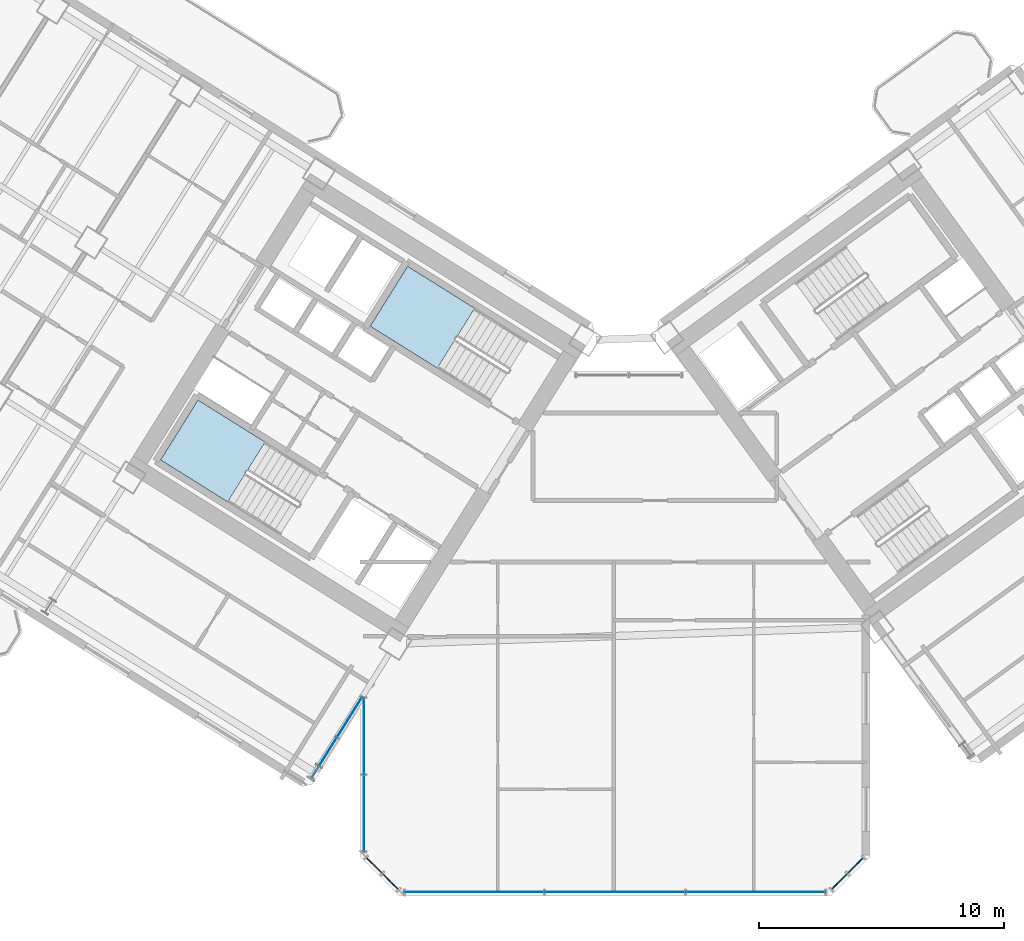
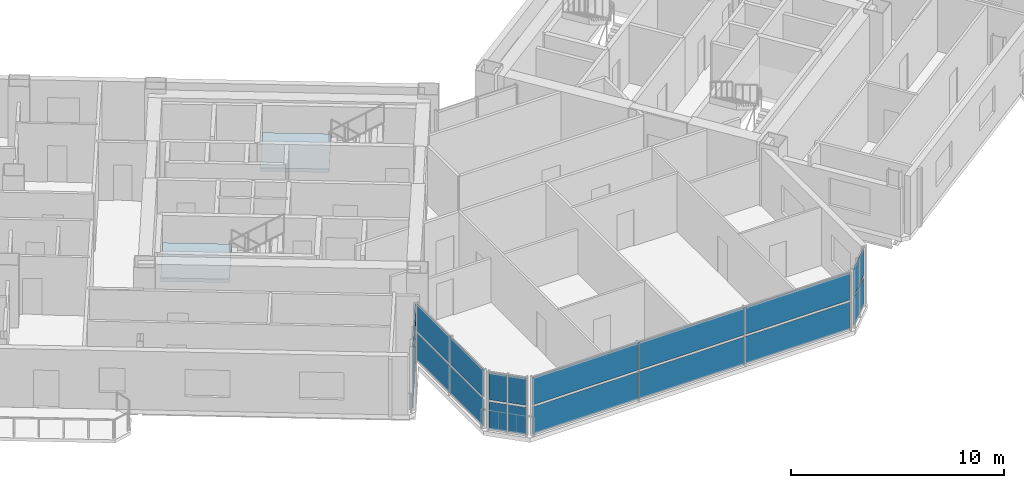
# One storey, part 13 of 24: 22 plates, 2 slabs, 7 elements without a shape of their own.
"""IFC4 building model written with IfcOpenShell, lengths in metres."""

from ifc_helpers import new_model, si_unit, direction, frame, origin, origin_2d, place, context, subcontext, project, spatial, polyline, rectangle, outline, extrude, source, transform, mapped, material, layer, layer_set, type_object, element, aggregate, save


model = new_model("IFC4")

# Units and contexts
model_context = context("Model", 3, precision=1e-05, world=origin(), true_north=direction((0.0, 1.0)))
body_context = subcontext(model_context, "Body", "Model", "MODEL_VIEW")
ifc_project = project(units=[si_unit("LENGTHUNIT", "METRE"), si_unit("AREAUNIT", "SQUARE_METRE"), si_unit("VOLUMEUNIT", "CUBIC_METRE"), si_unit("PLANEANGLEUNIT", "RADIAN"), si_unit("MASSUNIT", "GRAM", prefix="KILO")], contexts=[model_context])

# Site, building, storey
site_placement = place(None, origin())
site = spatial("IfcSite", under=ifc_project, at=site_placement, CompositionType="ELEMENT")
building_placement = place(site_placement, origin())
building = spatial("IfcBuilding", under=site, at=building_placement, Name="Tlacorven Tower", CompositionType="ELEMENT")
storey_placement = place(building_placement, frame((0.0, 0.0, 45.60009765625)))
storey = spatial("IfcBuildingStorey", under=building, at=storey_placement, Name="L11", CompositionType="ELEMENT", Elevation=45.60009765625)

# Stair, slab
ifc_material_1 = material(Name="Concrete C40/50", Category="concrete")
stair_type = type_object("IfcStairType", Name="ST-CORE-DLG", PredefinedType="HALF_TURN_STAIR", material=ifc_material_1)
stair_1_placement = place(storey_placement, origin())
stair_1 = element("IfcStair", 1, at=stair_1_placement, inside=storey, type_object=stair_type, Name="L11 Protected Exit Stair West 1", PredefinedType="HALF_TURN_STAIR")
ifc_layer_1 = layer(ifc_material_1, 0.199951171875)
ifc_layer_set_1 = layer_set([ifc_layer_1], Name="Concrete C40/50")
slab_type = type_object("IfcSlabType", Name="SL-LND-200", PredefinedType="LANDING", material=ifc_layer_set_1)
slab_1_placement = place(storey_placement, frame((0.0, 0.0, 1.599853515625)))
slab_1 = element("IfcSlab", 2, at=slab_1_placement, type_object=slab_type, Name="ST-W1 landing 1", PredefinedType="LANDING", context=body_context, shape_type="SweptSolid", body=[
    extrude(outline(polyline([(27.728515625, 20.315185546875), (24.9892578125, 22.02685546875), (23.463134765625, 19.58447265625), (26.2021484375, 17.872802734375), (27.728515625, 20.315185546875)])), origin(), (0.0, 0.0, 1.0), 0.199951171875),
])
aggregate(stair_1, [slab_1])

stair_2_placement = place(storey_placement, origin())
stair_2 = element("IfcStair", 3, at=stair_2_placement, inside=storey, type_object=stair_type, Name="L11 Protected Exit Stair West 2", PredefinedType="HALF_TURN_STAIR")
slab_2_placement = place(storey_placement, frame((0.0, 0.0, 1.599853515625)))
slab_2 = element("IfcSlab", 4, at=slab_2_placement, type_object=slab_type, Name="ST-W2 landing 1", PredefinedType="LANDING", context=body_context, shape_type="SweptSolid", body=[
    extrude(outline(polyline([(36.280029296875, 25.772705078125), (33.540771484375, 27.484375), (32.0146484375, 25.0419921875), (34.75390625, 23.33056640625), (36.280029296875, 25.772705078125)])), origin(), (0.0, 0.0, 1.0), 0.199951171875),
])
aggregate(stair_2, [slab_2])

# Curtain wall, plates
ifc_material_2 = material(Name="Dark solar low-E double glazing in aluminium frame", Category="aluminium")
curtain_wall_type = type_object("IfcCurtainWallType", Name="CW-TWR-LOW", PredefinedType="USERDEFINED", material=ifc_material_2)
curtain_wall_1_placement = place(storey_placement, origin())
curtain_wall_1 = element("IfcCurtainWall", 5, at=curtain_wall_1_placement, inside=storey, type_object=curtain_wall_type, Name="L11 CW-TWR-LOW Curtain Wall 57", ObjectType="UNITISED CURTAIN WALL", PredefinedType="USERDEFINED")
ifc_material_3 = material(Name="Dark solar double low-E glazing", Category="glass")
ifc_layer_2 = layer(ifc_material_3, 0.031982421875)
ifc_layer_set_2 = layer_set([ifc_layer_2], Name="Dark solar double low-E glazing")
plate_type = type_object("IfcPlateType", Name="CWP-02", PredefinedType="CURTAIN_PANEL", material=ifc_layer_set_2)
shared_shape_1 = source(origin(), body_context, "Body", "SweptSolid", [
    extrude(rectangle(XDim=0.878173828125, YDim=0.031982421875, at=origin_2d()), origin(), (0.0, 0.0, 1.0), 1.552978515625),
])
plate_1_placement = place(storey_placement, frame((51.815673828125, 3.0419921875, 0.06103515625), z_axis=(0.0, 0.0, 1.0), x_axis=(-0.707106781187, -0.707106781187, 0.0)))
plate_1 = element("IfcPlate", 6, at=plate_1_placement, type_object=plate_type, Name="CW-L11-057 Glazing Panel 1", PredefinedType="CURTAIN_PANEL", context=body_context, shape_type="MappedRepresentation", body=[
    mapped(shared_shape_1, transform((0.0, 0.0, 0.0), scale=1.0)),
])
plate_2_placement = place(storey_placement, frame((51.815673828125, 3.0419921875, 1.73583984375), z_axis=(0.0, 0.0, 1.0), x_axis=(-0.707106781187, -0.707106781187, 0.0)))
plate_2 = element("IfcPlate", 7, at=plate_2_placement, type_object=plate_type, Name="CW-L11-057 Glazing Panel 2", PredefinedType="CURTAIN_PANEL", context=body_context, shape_type="MappedRepresentation", body=[
    mapped(shared_shape_1, transform((0.0, 0.0, 0.0), scale=1.0)),
])
plate_3_placement = place(storey_placement, frame((51.157958984375, 2.38427734375, 0.06103515625), z_axis=(0.0, 0.0, 1.0), x_axis=(-0.707106781187, -0.707106781187, 0.0)))
plate_3 = element("IfcPlate", 8, at=plate_3_placement, type_object=plate_type, Name="CW-L11-057 Glazing Panel 3", PredefinedType="CURTAIN_PANEL", context=body_context, shape_type="MappedRepresentation", body=[
    mapped(shared_shape_1, transform((0.0, 0.0, 0.0), scale=1.0)),
])
plate_4_placement = place(storey_placement, frame((51.157958984375, 2.38427734375, 1.73583984375), z_axis=(0.0, 0.0, 1.0), x_axis=(-0.707106781187, -0.707106781187, 0.0)))
plate_4 = element("IfcPlate", 9, at=plate_4_placement, type_object=plate_type, Name="CW-L11-057 Glazing Panel 4", PredefinedType="CURTAIN_PANEL", context=body_context, shape_type="MappedRepresentation", body=[
    mapped(shared_shape_1, transform((0.0, 0.0, 0.0), scale=1.0)),
])
aggregate(curtain_wall_1, [plate_1, plate_2, plate_3, plate_4])

curtain_wall_2_placement = place(storey_placement, origin())
curtain_wall_2 = element("IfcCurtainWall", 10, at=curtain_wall_2_placement, inside=storey, type_object=curtain_wall_type, Name="L11 CW-TWR-LOW Curtain Wall 59", ObjectType="UNITISED CURTAIN WALL", PredefinedType="USERDEFINED")
plate_5_placement = place(storey_placement, frame((32.842041015625, 2.38427734375, 0.06103515625), z_axis=(0.0, 0.0, 1.0), x_axis=(-0.707106781187, 0.707106781187, 0.0)))
plate_5 = element("IfcPlate", 11, at=plate_5_placement, type_object=plate_type, Name="CW-L11-059 Glazing Panel 1", PredefinedType="CURTAIN_PANEL", context=body_context, shape_type="MappedRepresentation", body=[
    mapped(shared_shape_1, transform((0.0, 0.0, 0.0), scale=1.0)),
])
plate_6_placement = place(storey_placement, frame((32.842041015625, 2.38427734375, 1.73583984375), z_axis=(0.0, 0.0, 1.0), x_axis=(-0.707106781187, 0.707106781187, 0.0)))
plate_6 = element("IfcPlate", 12, at=plate_6_placement, type_object=plate_type, Name="CW-L11-059 Glazing Panel 2", PredefinedType="CURTAIN_PANEL", context=body_context, shape_type="MappedRepresentation", body=[
    mapped(shared_shape_1, transform((0.0, 0.0, 0.0), scale=1.0)),
])
plate_7_placement = place(storey_placement, frame((32.184326171875, 3.0419921875, 0.06103515625), z_axis=(0.0, 0.0, 1.0), x_axis=(-0.707106781187, 0.707106781187, 0.0)))
plate_7 = element("IfcPlate", 13, at=plate_7_placement, type_object=plate_type, Name="CW-L11-059 Glazing Panel 3", PredefinedType="CURTAIN_PANEL", context=body_context, shape_type="MappedRepresentation", body=[
    mapped(shared_shape_1, transform((0.0, 0.0, 0.0), scale=1.0)),
])
plate_8_placement = place(storey_placement, frame((32.184326171875, 3.0419921875, 1.73583984375), z_axis=(0.0, 0.0, 1.0), x_axis=(-0.707106781187, 0.707106781187, 0.0)))
plate_8 = element("IfcPlate", 14, at=plate_8_placement, type_object=plate_type, Name="CW-L11-059 Glazing Panel 4", PredefinedType="CURTAIN_PANEL", context=body_context, shape_type="MappedRepresentation", body=[
    mapped(shared_shape_1, transform((0.0, 0.0, 0.0), scale=1.0)),
])
aggregate(curtain_wall_2, [plate_5, plate_6, plate_7, plate_8])

curtain_wall_3_placement = place(storey_placement, origin())
curtain_wall_3 = element("IfcCurtainWall", 15, at=curtain_wall_3_placement, inside=storey, type_object=curtain_wall_type, Name="L11 CW-TWR-LOW Curtain Wall 58", ObjectType="UNITISED CURTAIN WALL", PredefinedType="USERDEFINED")
shared_shape_2 = source(origin(), body_context, "Body", "SweptSolid", [
    extrude(rectangle(XDim=5.668701171875, YDim=0.031982421875, at=origin_2d()), origin(), (0.0, 0.0, 1.0), 1.552978515625),
])
plate_9_placement = place(storey_placement, frame((47.73828125, 1.9599609375, 0.06103515625), z_axis=(0.0, 0.0, 1.0), x_axis=(-1.0, 0.0, 0.0)))
plate_9 = element("IfcPlate", 16, at=plate_9_placement, type_object=plate_type, Name="CW-L11-058 Glazing Panel 1", PredefinedType="CURTAIN_PANEL", context=body_context, shape_type="MappedRepresentation", body=[
    mapped(shared_shape_2, transform((0.0, 0.0, 0.0), scale=1.0)),
])
plate_10_placement = place(storey_placement, frame((47.73828125, 1.9599609375, 1.73583984375), z_axis=(0.0, 0.0, 1.0), x_axis=(-1.0, 0.0, 0.0)))
plate_10 = element("IfcPlate", 17, at=plate_10_placement, type_object=plate_type, Name="CW-L11-058 Glazing Panel 2", PredefinedType="CURTAIN_PANEL", context=body_context, shape_type="MappedRepresentation", body=[
    mapped(shared_shape_2, transform((0.0, 0.0, 0.0), scale=1.0)),
])
plate_11_placement = place(storey_placement, frame((36.26171875, 1.9599609375, 0.06103515625), z_axis=(0.0, 0.0, 1.0), x_axis=(-1.0, 0.0, 0.0)))
plate_11 = element("IfcPlate", 18, at=plate_11_placement, type_object=plate_type, Name="CW-L11-058 Glazing Panel 5", PredefinedType="CURTAIN_PANEL", context=body_context, shape_type="MappedRepresentation", body=[
    mapped(shared_shape_2, transform((0.0, 0.0, 0.0), scale=1.0)),
])
plate_12_placement = place(storey_placement, frame((36.26171875, 1.9599609375, 1.73583984375), z_axis=(0.0, 0.0, 1.0), x_axis=(-1.0, 0.0, 0.0)))
plate_12 = element("IfcPlate", 19, at=plate_12_placement, type_object=plate_type, Name="CW-L11-058 Glazing Panel 6", PredefinedType="CURTAIN_PANEL", context=body_context, shape_type="MappedRepresentation", body=[
    mapped(shared_shape_2, transform((0.0, 0.0, 0.0), scale=1.0)),
])
shared_shape_3 = source(origin(), body_context, "Body", "SweptSolid", [
    extrude(rectangle(XDim=5.703857421875, YDim=0.031982421875, at=origin_2d()), origin(), (0.0, 0.0, 1.0), 1.552978515625),
])
plate_13_placement = place(storey_placement, frame((42.0, 1.9599609375, 0.06103515625), z_axis=(0.0, 0.0, 1.0), x_axis=(-1.0, 0.0, 0.0)))
plate_13 = element("IfcPlate", 20, at=plate_13_placement, type_object=plate_type, Name="CW-L11-058 Glazing Panel 3", PredefinedType="CURTAIN_PANEL", context=body_context, shape_type="MappedRepresentation", body=[
    mapped(shared_shape_3, transform((0.0, 0.0, 0.0), scale=1.0)),
])
plate_14_placement = place(storey_placement, frame((42.0, 1.9599609375, 1.73583984375), z_axis=(0.0, 0.0, 1.0), x_axis=(-1.0, 0.0, 0.0)))
plate_14 = element("IfcPlate", 21, at=plate_14_placement, type_object=plate_type, Name="CW-L11-058 Glazing Panel 4", PredefinedType="CURTAIN_PANEL", context=body_context, shape_type="MappedRepresentation", body=[
    mapped(shared_shape_3, transform((0.0, 0.0, 0.0), scale=1.0)),
])
aggregate(curtain_wall_3, [plate_9, plate_10, plate_13, plate_14, plate_11, plate_12])

curtain_wall_4_placement = place(storey_placement, origin())
curtain_wall_4 = element("IfcCurtainWall", 22, at=curtain_wall_4_placement, inside=storey, type_object=curtain_wall_type, Name="L11 CW-TWR-LOW Curtain Wall 60", ObjectType="UNITISED CURTAIN WALL", PredefinedType="USERDEFINED")
shared_shape_4 = source(origin(), body_context, "Body", "SweptSolid", [
    extrude(rectangle(XDim=3.09423828125, YDim=0.031982421875, at=origin_2d()), origin(), (0.0, 0.0, 1.0), 1.552978515625),
])
plate_15_placement = place(storey_placement, frame((31.760009765625, 5.17431640625, 0.06103515625), z_axis=(0.0, 0.0, 1.0), x_axis=(0.0, 1.0, 0.0)))
plate_15 = element("IfcPlate", 23, at=plate_15_placement, type_object=plate_type, Name="CW-L11-060 Glazing Panel 1", PredefinedType="CURTAIN_PANEL", context=body_context, shape_type="MappedRepresentation", body=[
    mapped(shared_shape_4, transform((0.0, 0.0, 0.0), scale=1.0)),
])
plate_16_placement = place(storey_placement, frame((31.760009765625, 5.17431640625, 1.73583984375), z_axis=(0.0, 0.0, 1.0), x_axis=(0.0, 1.0, 0.0)))
plate_16 = element("IfcPlate", 24, at=plate_16_placement, type_object=plate_type, Name="CW-L11-060 Glazing Panel 2", PredefinedType="CURTAIN_PANEL", context=body_context, shape_type="MappedRepresentation", body=[
    mapped(shared_shape_4, transform((0.0, 0.0, 0.0), scale=1.0)),
])
plate_17_placement = place(storey_placement, frame((31.760009765625, 8.320556640625, 0.06103515625), z_axis=(0.0, 0.0, 1.0), x_axis=(0.0, 1.0, 0.0)))
plate_17 = element("IfcPlate", 25, at=plate_17_placement, type_object=plate_type, Name="CW-L11-060 Glazing Panel 3", PredefinedType="CURTAIN_PANEL", context=body_context, shape_type="MappedRepresentation", body=[
    mapped(shared_shape_4, transform((0.0, 0.0, 0.0), scale=1.0)),
])
plate_18_placement = place(storey_placement, frame((31.760009765625, 8.320556640625, 1.73583984375), z_axis=(0.0, 0.0, 1.0), x_axis=(0.0, 1.0, 0.0)))
plate_18 = element("IfcPlate", 26, at=plate_18_placement, type_object=plate_type, Name="CW-L11-060 Glazing Panel 4", PredefinedType="CURTAIN_PANEL", context=body_context, shape_type="MappedRepresentation", body=[
    mapped(shared_shape_4, transform((0.0, 0.0, 0.0), scale=1.0)),
])
aggregate(curtain_wall_4, [plate_15, plate_16, plate_17, plate_18])

curtain_wall_5_placement = place(storey_placement, origin())
curtain_wall_5 = element("IfcCurtainWall", 27, at=curtain_wall_5_placement, inside=storey, type_object=curtain_wall_type, Name="L11 CW-TWR-LOW Curtain Wall 61", ObjectType="UNITISED CURTAIN WALL", PredefinedType="USERDEFINED")
shared_shape_5 = source(origin(), body_context, "Body", "SweptSolid", [
    extrude(rectangle(XDim=1.896240234375, YDim=0.031982421875, at=origin_2d()), origin(), (0.0, 0.0, 1.0), 1.552978515625),
])
plate_19_placement = place(storey_placement, frame((31.172119140625, 9.087890625, 0.06103515625), z_axis=(0.0, 0.0, 1.0), x_axis=(-0.529918710919, -0.848048441905, 0.0)))
plate_19 = element("IfcPlate", 28, at=plate_19_placement, type_object=plate_type, Name="CW-L11-061 Glazing Panel 1", PredefinedType="CURTAIN_PANEL", context=body_context, shape_type="MappedRepresentation", body=[
    mapped(shared_shape_5, transform((0.0, 0.0, 0.0), scale=1.0)),
])
plate_20_placement = place(storey_placement, frame((31.172119140625, 9.087890625, 1.73583984375), z_axis=(0.0, 0.0, 1.0), x_axis=(-0.529918710919, -0.848048441905, 0.0)))
plate_20 = element("IfcPlate", 29, at=plate_20_placement, type_object=plate_type, Name="CW-L11-061 Glazing Panel 2", PredefinedType="CURTAIN_PANEL", context=body_context, shape_type="MappedRepresentation", body=[
    mapped(shared_shape_5, transform((0.0, 0.0, 0.0), scale=1.0)),
])
plate_21_placement = place(storey_placement, frame((30.1396484375, 7.435791015625, 0.06103515625), z_axis=(0.0, 0.0, 1.0), x_axis=(-0.529918710919, -0.848048441905, 0.0)))
plate_21 = element("IfcPlate", 30, at=plate_21_placement, type_object=plate_type, Name="CW-L11-061 Glazing Panel 3", PredefinedType="CURTAIN_PANEL", context=body_context, shape_type="MappedRepresentation", body=[
    mapped(shared_shape_5, transform((0.0, 0.0, 0.0), scale=1.0)),
])
plate_22_placement = place(storey_placement, frame((30.1396484375, 7.435791015625, 1.73583984375), z_axis=(0.0, 0.0, 1.0), x_axis=(-0.529918710919, -0.848048441905, 0.0)))
plate_22 = element("IfcPlate", 31, at=plate_22_placement, type_object=plate_type, Name="CW-L11-061 Glazing Panel 4", PredefinedType="CURTAIN_PANEL", context=body_context, shape_type="MappedRepresentation", body=[
    mapped(shared_shape_5, transform((0.0, 0.0, 0.0), scale=1.0)),
])
aggregate(curtain_wall_5, [plate_19, plate_20, plate_21, plate_22])

save(model, "model.ifc")
